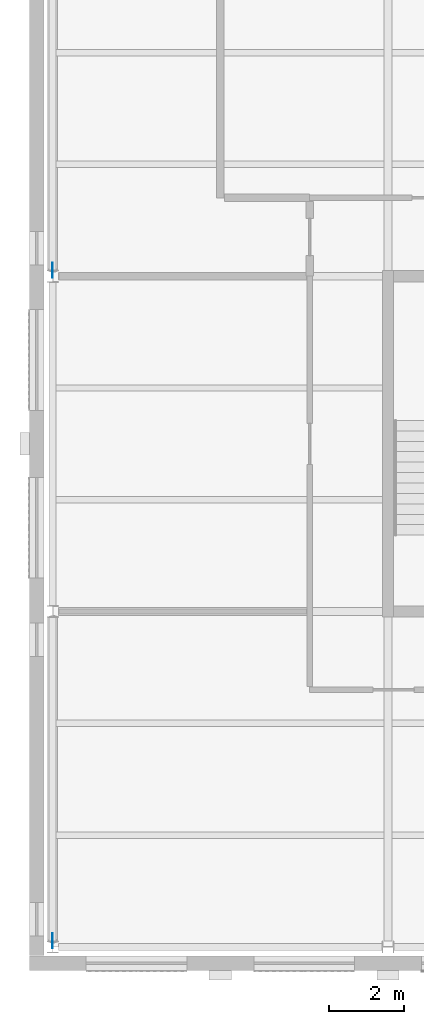
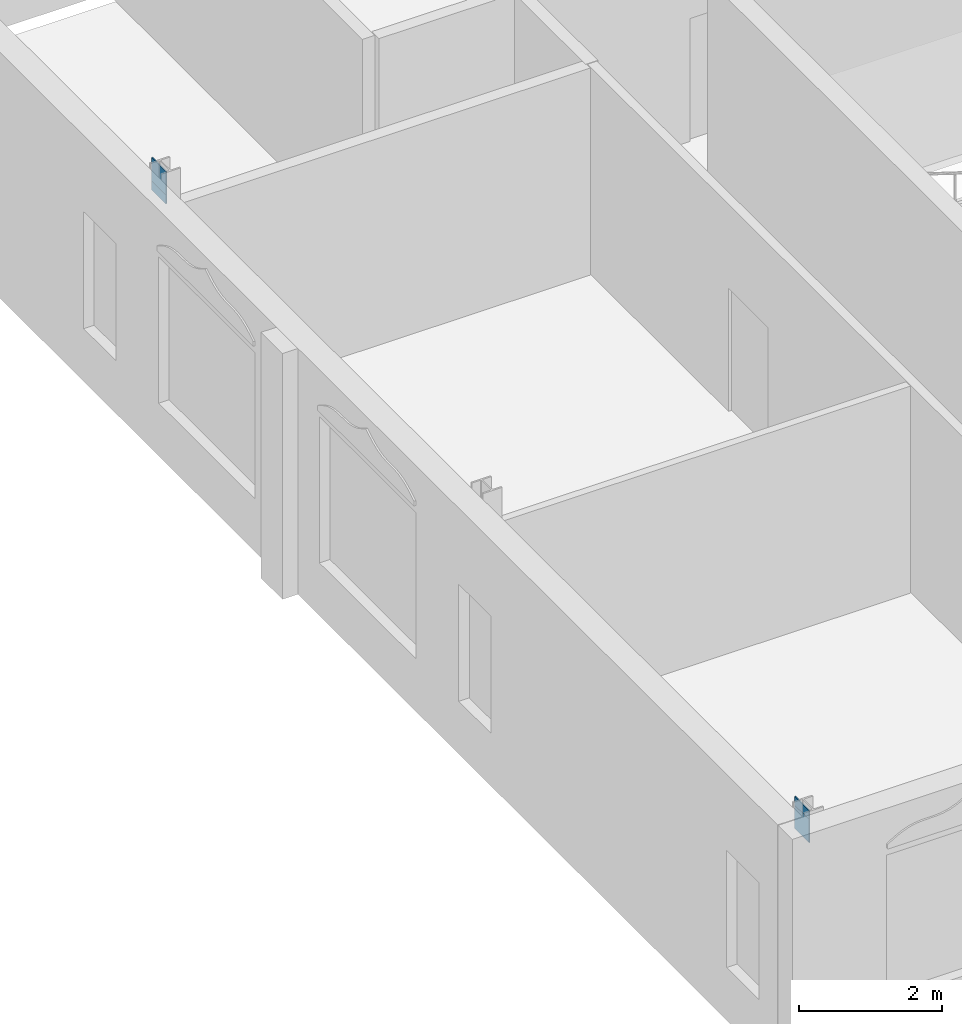
# One storey, part 6 of 9: 4 discrete accessories.
"""IFC4 building model written with IfcOpenShell, lengths in metres."""

import ifcopenshell
import ifcopenshell.guid

model = None  # the IFC model being written
_history = None  # IfcOwnerHistory: only IFC2X3 demands one
_inside = {}  # id of a spatial element -> (the spatial element, [elements in it])
_under = {}  # id of a project, library or spatial element -> (it, [spatial elements below it])
_declared = {}  # id of a project -> (the project, [libraries it declares])
_typed = {}  # id of a type object -> (the type object, [elements of that type])
_made_of = {}  # id of a material, layer set ... -> (it, [elements and type objects made of it])


def new_model(schema):
    """Start an empty IFC model of exactly this schema.

    Asked for "IFC4X3", IfcOpenShell would pick the latest addendum, in which some entities
    have other attributes; the version numbers below select the first issue.
    IFC2X3 requires an IfcOwnerHistory on every rooted entity: one is made here for all.
    """
    global model, _history
    if schema == "IFC4X3":
        model = ifcopenshell.file(schema_version=(4, 3, 0, 0))
    else:
        model = ifcopenshell.file(schema=schema)
    _inside.clear()
    _under.clear()
    _declared.clear()
    _typed.clear()
    _made_of.clear()
    _history = None
    if model.schema == "IFC2X3":
        org = make("IfcOrganization", Name="unknown")
        user = make(
            "IfcPersonAndOrganization",
            ThePerson=make("IfcPerson", FamilyName="unknown"),
            TheOrganization=org,
        )
        app = make(
            "IfcApplication",
            ApplicationDeveloper=org,
            Version="unknown",
            ApplicationFullName="unknown",
            ApplicationIdentifier="unknown",
        )
        _history = make(
            "IfcOwnerHistory",
            OwningUser=user,
            OwningApplication=app,
            ChangeAction="ADDED",
            CreationDate=0,
        )
    return model


def make(cls, **values):
    """One entity of the class cls with the attributes given. An attribute that is None is left unset."""
    return model.create_entity(
        cls, **{name: value for name, value in values.items() if value is not None}
    )


def rooted(cls, **values):
    """An entity with a GlobalId (a new one), such as an element, a storey or a relation."""
    return make(cls, GlobalId=ifcopenshell.guid.new(), OwnerHistory=_history, **values)


def si_unit(unit_type, name, prefix=None):
    """IfcSIUnit, for example si_unit("LENGTHUNIT", "METRE", prefix="MILLI")."""
    return make("IfcSIUnit", UnitType=unit_type, Prefix=prefix, Name=name)


def assignment(units):
    """IfcUnitAssignment: the units of a project."""
    return None if units is None else make("IfcUnitAssignment", Units=units)


def point(xyz):
    """IfcCartesianPoint."""
    return None if xyz is None else make("IfcCartesianPoint", Coordinates=xyz)


def direction(xyz):
    """IfcDirection."""
    return None if xyz is None else make("IfcDirection", DirectionRatios=xyz)


def frame(location, z_axis=None, x_axis=None):
    """IfcAxis2Placement3D, a coordinate frame: its origin and axes. An axis left out is left unset."""
    return make(
        "IfcAxis2Placement3D",
        Location=point(location),
        Axis=direction(z_axis),
        RefDirection=direction(x_axis),
    )


def frame_2d(location, x_axis=None):
    """IfcAxis2Placement2D, a coordinate frame in the plane: its origin and x axis."""
    return make(
        "IfcAxis2Placement2D", Location=point(location), RefDirection=direction(x_axis)
    )


def origin():
    """The frame at (0, 0, 0) with its axes left unset."""
    return frame((0.0, 0.0, 0.0))


def origin_2d():
    """The frame at (0, 0) in the plane with its x axis left unset."""
    return frame_2d((0.0, 0.0))


def place(relative_to, where):
    """IfcLocalPlacement: puts the frame where relative to a parent placement (None: the world)."""
    return make(
        "IfcLocalPlacement", PlacementRelTo=relative_to, RelativePlacement=where
    )


def context(
    kind, dimensions, precision=None, world=None, true_north=None, identifier=None
):
    """IfcGeometricRepresentationContext, for example the 3D "Model" context."""
    return make(
        "IfcGeometricRepresentationContext",
        ContextIdentifier=identifier,
        ContextType=kind,
        CoordinateSpaceDimension=dimensions,
        Precision=precision,
        WorldCoordinateSystem=world,
        TrueNorth=true_north,
    )


def subcontext(parent, identifier, kind, view, scale=None):
    """IfcGeometricRepresentationSubContext, for example "Body" below "Model"."""
    return make(
        "IfcGeometricRepresentationSubContext",
        ContextIdentifier=identifier,
        ContextType=kind,
        ParentContext=parent,
        TargetScale=scale,
        TargetView=view,
    )


def project(units=None, contexts=None):
    """IfcProject with its units and contexts."""
    return rooted(
        "IfcProject",
        Name="project",
        RepresentationContexts=contexts,
        UnitsInContext=assignment(units),
    )


def spatial(cls, under=None, at=None, **own):
    """A site, building, storey or space (cls), placed at a placement, below another one or the project."""
    s = rooted(cls, ObjectPlacement=at, **own)
    if under is not None:
        _under.setdefault(under.id(), (under, []))[1].append(s)
    return s


def profile(cls, at=None, kind="AREA", **sizes):
    """A parametric profile (cls). Its sizes go by their IFC names, for example OverallWidth=200.0."""
    return make(cls, ProfileType=kind, Position=at, **sizes)


def rectangle(**sizes):
    """IfcRectangleProfileDef."""
    return profile("IfcRectangleProfileDef", **sizes)


def extrude(swept, where, along, depth):
    """IfcExtrudedAreaSolid: the profile swept, set in the frame where, extruded along a direction by depth."""
    return make(
        "IfcExtrudedAreaSolid",
        SweptArea=swept,
        Position=where,
        ExtrudedDirection=direction(along),
        Depth=depth,
    )


def shape(context_of_items, identifier, shape_type, items):
    """IfcShapeRepresentation: the items that make up one representation, for example the "Body"."""
    return make(
        "IfcShapeRepresentation",
        ContextOfItems=context_of_items,
        RepresentationIdentifier=identifier,
        RepresentationType=shape_type,
        Items=items,
    )


def material(Name=None, Category=None):
    """IfcMaterial."""
    return make("IfcMaterial", Name=Name, Category=Category)


def made_of(thing, what):
    """Note that an element or type object is made of a material, layer set ...; save() writes the relation."""
    if what is not None:
        _made_of.setdefault(what.id(), (what, []))[1].append(thing)
    return thing


def type_object(cls, material=None, **own):
    """A type object (cls), such as IfcWallType, which elements share."""
    return made_of(rooted(cls, **own), material)


def element(
    cls,
    number,
    at=None,
    inside=None,
    cuts=None,
    type_object=None,
    material=None,
    context=None,
    identifier="Body",
    shape_type=None,
    held_by="IfcProductDefinitionShape",
    body=None,
    shapes=None,
    **own,
):
    """One element of the class cls, such as IfcWall. Its Tag is "e" and its number.

    at: its placement. inside: the storey or other place that contains it. cuts: it is an
    opening in that element (IfcRelVoidsElement). A single representation is given by context,
    identifier, shape_type and body (its items); several are given by shapes. held_by: the class
    of the entity that holds the representations. save() writes the other relations.
    """
    e = rooted(cls, Tag="e%d" % number, ObjectPlacement=at, **own)
    if body is not None:
        shapes = [shape(context, identifier, shape_type, body)]
    if shapes is not None:
        e.Representation = make(held_by, Representations=shapes)
    if inside is not None:
        _inside.setdefault(inside.id(), (inside, []))[1].append(e)
    if cuts is not None:
        rooted(
            "IfcRelVoidsElement", RelatingBuildingElement=cuts, RelatedOpeningElement=e
        )
    if type_object is not None:
        _typed.setdefault(type_object.id(), (type_object, []))[1].append(e)
    return made_of(e, material)


def aggregate(whole, parts):
    """IfcRelAggregates: a whole, such as a stair, and the parts it consists of."""
    return rooted("IfcRelAggregates", RelatingObject=whole, RelatedObjects=parts)


def save(model, path):
    """Write the relations noted so far, then the file.

    IfcRelAggregates (storeys below a building ...), IfcRelContainedInSpatialStructure (elements
    in a storey), IfcRelDefinesByType, IfcRelAssociatesMaterial and IfcRelDeclares: one each for
    every whole, place, type object, material and project.
    """
    for whole, parts in _under.values():
        aggregate(whole, parts)
    for where, things in _inside.values():
        rooted(
            "IfcRelContainedInSpatialStructure",
            RelatedElements=things,
            RelatingStructure=where,
        )
    for kind, things in _typed.values():
        rooted("IfcRelDefinesByType", RelatedObjects=things, RelatingType=kind)
    for what, things in _made_of.values():
        rooted("IfcRelAssociatesMaterial", RelatedObjects=things, RelatingMaterial=what)
    for by, libraries in _declared.values():
        rooted("IfcRelDeclares", RelatingContext=by, RelatedDefinitions=libraries)
    model.write(path)


model = new_model("IFC4")

# Units and contexts
model_context = context("Model", 3, precision=1e-05, world=origin(), true_north=direction((0.0, 1.0)))
body_context = subcontext(model_context, "Body", "Model", "MODEL_VIEW")
ifc_project = project(units=[si_unit("LENGTHUNIT", "METRE"), si_unit("AREAUNIT", "SQUARE_METRE"), si_unit("VOLUMEUNIT", "CUBIC_METRE"), si_unit("PLANEANGLEUNIT", "RADIAN"), si_unit("MASSUNIT", "GRAM", prefix="KILO")], contexts=[model_context])

# Site, building, storey
site_placement = place(None, origin())
site = spatial("IfcSite", under=ifc_project, at=site_placement, CompositionType="ELEMENT")
building_placement = place(site_placement, origin())
building = spatial("IfcBuilding", under=site, at=building_placement, Name="Hortulan Conservatory and Botanical Research Centre", CompositionType="ELEMENT")
storey_placement = place(building_placement, frame((0.0, 0.0, 36.0)))
storey = spatial("IfcBuildingStorey", under=building, at=storey_placement, Name="L08", CompositionType="ELEMENT", Elevation=36.0)

# Discrete accessories
ifc_material = material(Name="Steel Grade 300 plate (AS/NZS 3678, 280 MPa minimum yield)", Category="steel")
discrete_accessory_type = type_object("IfcDiscreteAccessoryType", Name="End Plate 400x16", PredefinedType="BRACKET", material=ifc_material)
for number, where, z_axis, x_axis, name in (
    (1, (0.0, 0.16357421875, 3.563720703125), (0.0, 0.0, 1.0), (0.0, -1.0, 0.0), "Brace end plate"),
    (2, (0.0, 0.16357421875, 3.71630859375), (0.0, 0.0, 1.0), (0.0, -1.0, 0.0), "Brace end plate"),
    (3, (0.0, 18.16357421875, 3.563720703125), (0.0, 0.0, 1.0), (0.0, -1.0, 0.0), "Brace end plate"),
    (4, (0.0, 18.16357421875, 3.71630859375), (0.0, 0.0, 1.0), (0.0, -1.0, 0.0), "Brace end plate"),
):
    element("IfcDiscreteAccessory", number, at=place(storey_placement, frame(where, z_axis=z_axis, x_axis=x_axis)), inside=storey, type_object=discrete_accessory_type, Name=name, PredefinedType="BRACKET", context=body_context, shape_type="SweptSolid", body=[
        extrude(rectangle(XDim=0.39990234375, YDim=0.01611328125, at=origin_2d()), origin(), (0.0, 0.0, 1.0), 0.39990234375),
    ])

save(model, "model.ifc")
